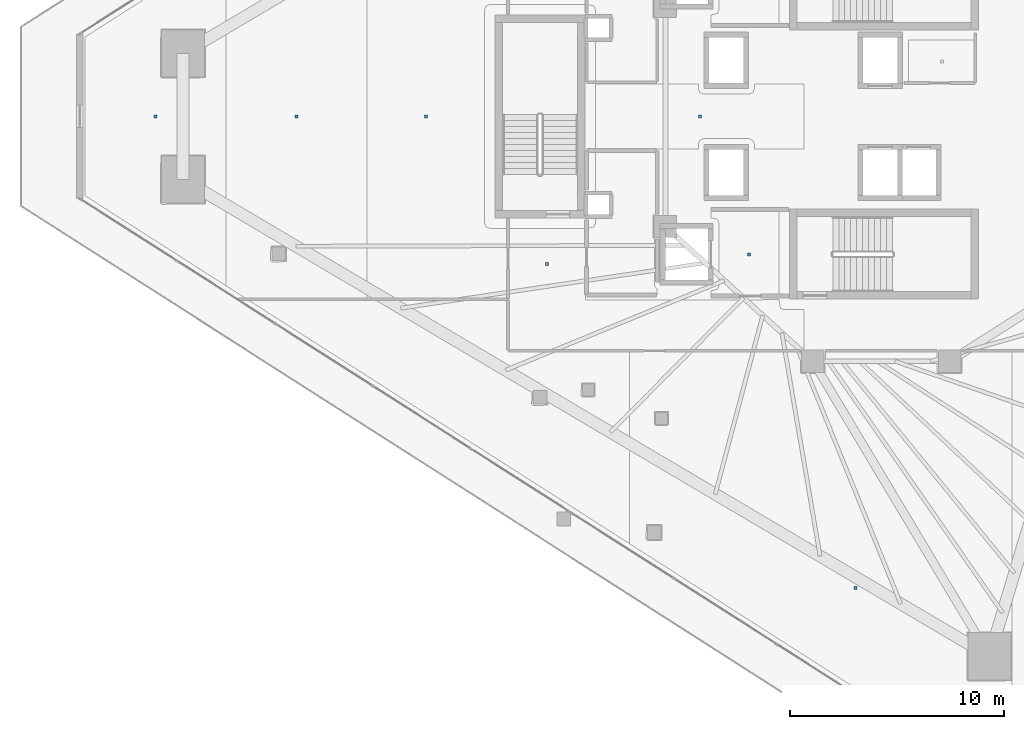
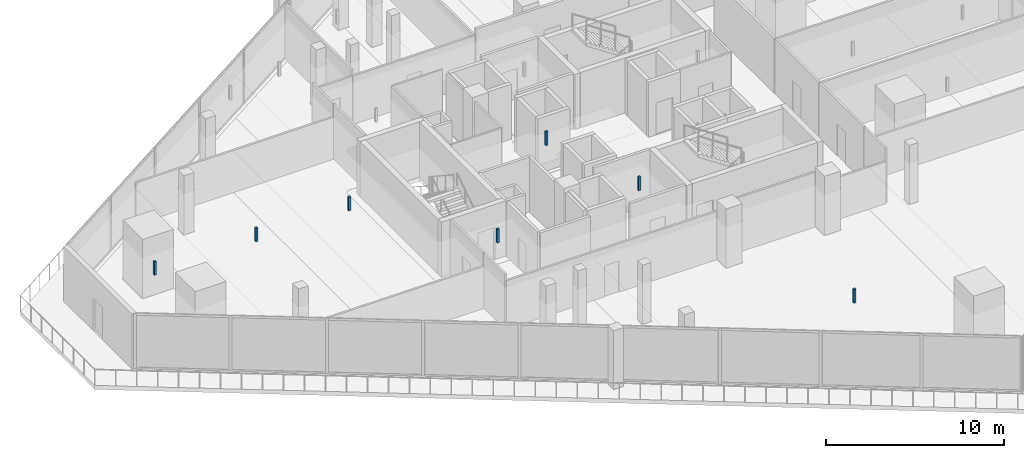
# One storey, part 26 of 35: 7 discrete accessories.
"""IFC4 building model written with IfcOpenShell, lengths in metres."""

from ifc_helpers import new_model, si_unit, direction, frame, origin, origin_2d, place, context, subcontext, project, spatial, rectangle, extrude, material, type_object, element, save


model = new_model("IFC4")

# Units and contexts
model_context = context("Model", 3, precision=1e-05, world=origin(), true_north=direction((0.0, 1.0)))
body_context = subcontext(model_context, "Body", "Model", "MODEL_VIEW")
ifc_project = project(units=[si_unit("LENGTHUNIT", "METRE"), si_unit("AREAUNIT", "SQUARE_METRE"), si_unit("VOLUMEUNIT", "CUBIC_METRE"), si_unit("PLANEANGLEUNIT", "RADIAN"), si_unit("MASSUNIT", "GRAM", prefix="KILO")], contexts=[model_context])

# Site, building, storey
site_placement = place(None, origin())
site = spatial("IfcSite", under=ifc_project, at=site_placement, CompositionType="ELEMENT")
building_placement = place(site_placement, origin())
building = spatial("IfcBuilding", under=site, at=building_placement, Name="Qorvath Tower", CompositionType="ELEMENT")
storey_placement = place(building_placement, frame((0.0, 0.0, 130.050048828125)))
storey = spatial("IfcBuildingStorey", under=building, at=storey_placement, Name="L29", CompositionType="ELEMENT", Elevation=130.050048828125)

# Discrete accessories
ifc_material = material(Name="Galvanised steel bracket", Category="steel")
discrete_accessory_type = type_object("IfcDiscreteAccessoryType", Name="DA-BRACKET", PredefinedType="BRACKET", material=ifc_material)
for number, where, z_axis, x_axis, name in (
    (1, (-26.590087890625, -6.449951171875, 2.85986328125), (0.0, 0.0, 1.0), (1.0, 0.0, 0.0), "Acoustic Ceiling Suspension Hanger T1-L29-002"),
    (2, (-36.04150390625, -6.906982421875, 2.85986328125), (0.0, 0.0, 1.0), (1.0, 0.0, 0.0), "Acoustic Ceiling Suspension Hanger T1-L29-006"),
    (3, (-28.889892578125, 0.0, 2.85986328125), (0.0, 0.0, 1.0), (1.0, 0.0, 0.0), "Acoustic Ceiling Suspension Hanger T1-L29-008"),
    (4, (-21.61181640625, -22.045166015625, 2.85986328125), (0.0, 0.0, 1.0), (1.0, 0.0, 0.0), "Acoustic Ceiling Suspension Hanger T1-L29-023"),
    (5, (-54.3388671875, -0.0087890625, 2.85986328125), (0.0, 0.0, 1.0), (1.0, 0.0, 0.0), "Acoustic Ceiling Suspension Hanger T1-L29-032"),
    (6, (-47.74853515625, -0.0087890625, 2.85986328125), (0.0, 0.0, 1.0), (1.0, 0.0, 0.0), "Acoustic Ceiling Suspension Hanger T1-L29-033"),
    (7, (-41.70166015625, 0.0, 2.85986328125), (0.0, 0.0, 1.0), (1.0, 0.0, 0.0), "Acoustic Ceiling Suspension Hanger T1-L29-034"),
):
    element("IfcDiscreteAccessory", number, at=place(storey_placement, frame(where, z_axis=z_axis, x_axis=x_axis)), inside=storey, type_object=discrete_accessory_type, Name=name, PredefinedType="NOTDEFINED", context=body_context, shape_type="SweptSolid", body=[
        extrude(rectangle(XDim=0.139892578125, YDim=0.139892578125, at=origin_2d()), origin(), (0.0, 0.0, 1.0), 0.9501953125),
    ])

save(model, "model.ifc")
